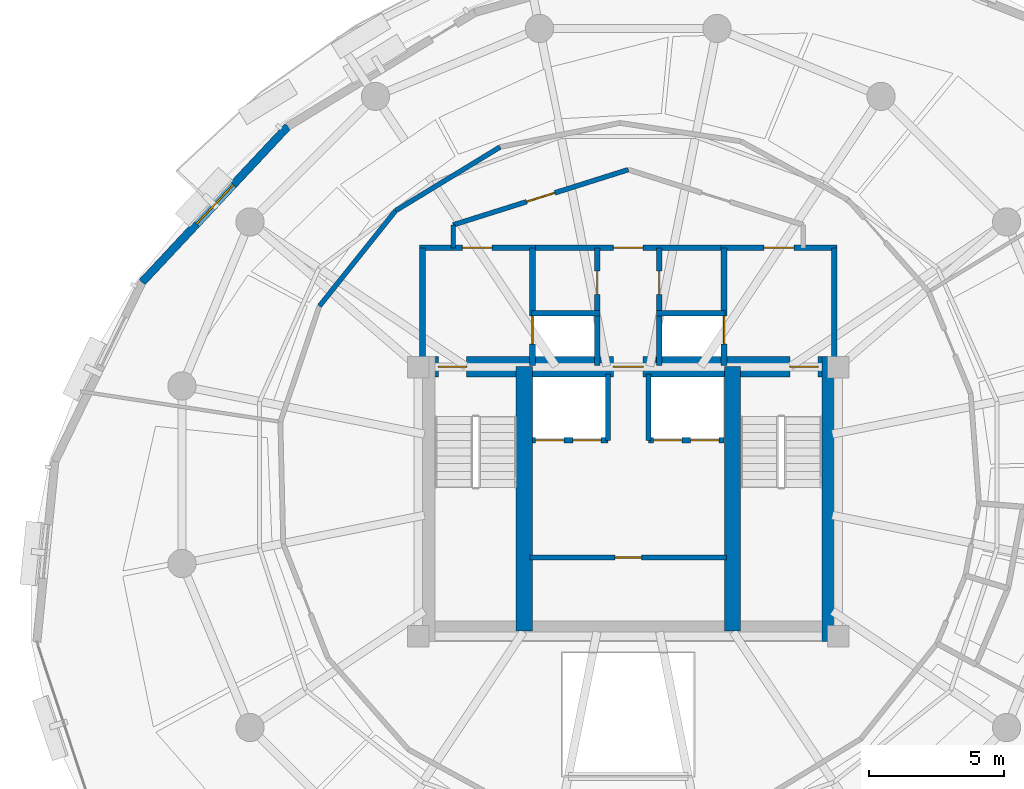
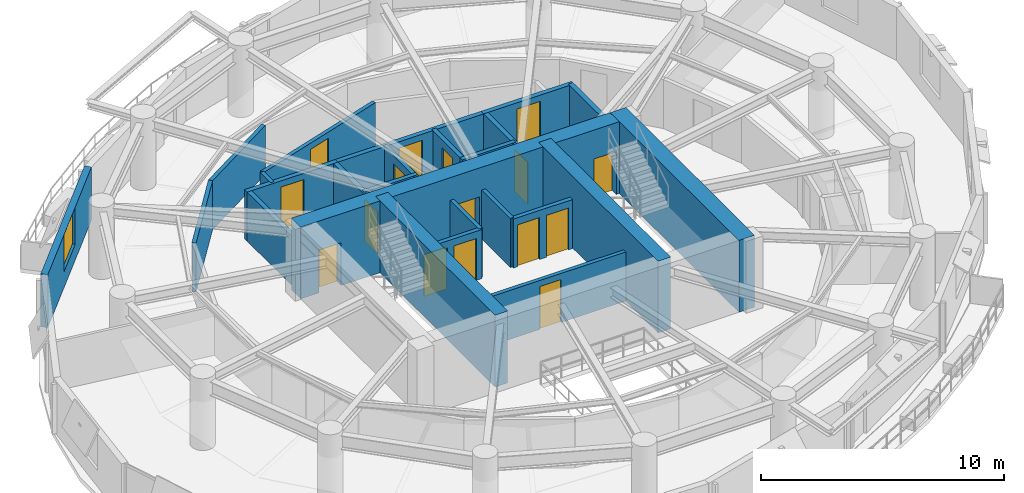
# One storey, part 10 of 15: 25 walls, 16 doors, 1 window, 17 openings.
"""IFC4 building model written with IfcOpenShell, lengths in metres."""

from ifc_helpers import new_model, si_unit, direction, frame, frame_2d, origin, place, context, subcontext, project, spatial, rectangle, extrude, material, layer, layer_set, type_object, element, fill, save


model = new_model("IFC4")

# Units and contexts
model_context = context("Model", 3, precision=1e-05, world=origin(), true_north=direction((0.0, 1.0)))
body_context = subcontext(model_context, "Body", "Model", "MODEL_VIEW")
ifc_project = project(units=[si_unit("LENGTHUNIT", "METRE"), si_unit("AREAUNIT", "SQUARE_METRE"), si_unit("VOLUMEUNIT", "CUBIC_METRE"), si_unit("PLANEANGLEUNIT", "RADIAN"), si_unit("MASSUNIT", "GRAM", prefix="KILO"), si_unit("THERMODYNAMICTEMPERATUREUNIT", "KELVIN"), si_unit("POWERUNIT", "WATT")], contexts=[model_context])

# Site, building, storey
site_placement = place(None, origin())
site = spatial("IfcSite", under=ifc_project, at=site_placement, CompositionType="ELEMENT")
building_placement = place(site_placement, origin())
building = spatial("IfcBuilding", under=site, at=building_placement, Name="Ocrelia Relay Tower", CompositionType="ELEMENT")
storey_placement = place(building_placement, frame((0.0, 0.0, 166.39990234375)))
storey = spatial("IfcBuildingStorey", under=building, at=storey_placement, Name="L39", CompositionType="ELEMENT", Elevation=166.39990234375)

# Wall, openings, doors
ifc_material_1 = material(Name="Concrete C60/75", Category="concrete")
ifc_layer_1 = layer(ifc_material_1, 0.75, Name="Concrete C60/75")
ifc_layer_set_1 = layer_set([ifc_layer_1], Name="Concrete C60/75")
wall_type_1 = type_object("IfcWallType", Name="CW-CORE-750", PredefinedType="SHEAR", material=ifc_layer_set_1)
wall_1_placement = place(storey_placement, frame((26.072021484375, 30.012939453125, 0.0), z_axis=(0.0, 0.0, 1.0), x_axis=(1.0, 0.0, 0.0)))
wall_1 = element("IfcWall", 1, at=wall_1_placement, inside=storey, type_object=wall_type_1, Name="L39 Core Shear Wall N", PredefinedType="SHEAR", context=body_context, shape_type="SweptSolid", body=[
    extrude(rectangle(XDim=15.865966796875, YDim=0.75, at=frame_2d((7.93310546875, 0.0))), origin(), (0.0, 0.0, 1.0), 3.60009765625),
])
opening_1_placement = place(wall_1_placement, frame((0.8779296875, 0.0, 0.0)))
opening_1 = element("IfcOpeningElement", 2, at=opening_1_placement, cuts=wall_1, Name="Opening D-FD90", PredefinedType="OPENING", context=body_context, shape_type="SweptSolid", body=[
    extrude(rectangle(XDim=1.050048828125, YDim=2.14990234375, at=frame_2d((0.52490234375, 1.074951171875))), frame((0.0, 0.385009765625, 0.0), z_axis=(0.0, -1.0, 0.0), x_axis=(1.0, 0.0, 0.0)), (0.0, 0.0, 1.0), 0.77001953125),
])
opening_2_placement = place(wall_1_placement, frame((13.927978515625, 0.0, 0.0)))
opening_2 = element("IfcOpeningElement", 3, at=opening_2_placement, cuts=wall_1, Name="Opening D-FD90", PredefinedType="OPENING", context=body_context, shape_type="SweptSolid", body=[
    extrude(rectangle(XDim=1.050048828125, YDim=2.14990234375, at=frame_2d((0.52490234375, 1.074951171875))), frame((0.0, 0.385009765625, 0.0), z_axis=(0.0, -1.0, 0.0), x_axis=(1.0, 0.0, 0.0)), (0.0, 0.0, 1.0), 0.77001953125),
])
opening_3_placement = place(wall_1_placement, frame((7.3779296875, 0.0, 0.0)))
opening_3 = element("IfcOpeningElement", 4, at=opening_3_placement, cuts=wall_1, Name="Opening D-FD60", PredefinedType="OPENING", context=body_context, shape_type="SweptSolid", body=[
    extrude(rectangle(XDim=1.10009765625, YDim=2.14990234375, at=frame_2d((0.550048828125, 1.074951171875))), frame((0.0, 0.385009765625, 0.0), z_axis=(0.0, -1.0, 0.0), x_axis=(1.0, 0.0, 0.0)), (0.0, 0.0, 1.0), 0.77001953125),
])
ifc_material_2 = material(Name="Timber-core 60-min acoustic fire door", Category="wood")
door_type_1 = type_object("IfcDoorType", Name="DR-LOBBY-FD60-1100", OperationType="NOTDEFINED", PredefinedType="DOOR", material=ifc_material_2)
door_1_placement = place(opening_3_placement, origin())
door_1 = element("IfcDoor", 5, at=door_1_placement, inside=storey, type_object=door_type_1, Name="L39 Core Lift Lobby North Fire Door", OperationType="SINGLE_SWING_LEFT", OverallHeight=2.14990234375, OverallWidth=1.10009765625, PredefinedType="DOOR", context=body_context, shape_type="SweptSolid", body=[
    extrude(rectangle(XDim=1.10009765625, YDim=2.14990234375, at=frame_2d((0.550048828125, 1.074951171875))), frame((0.0, 0.02490234375, 0.0), z_axis=(0.0, -1.0, 0.0), x_axis=(1.0, 0.0, 0.0)), (0.0, 0.0, 1.0), 0.050048828125),
])
fill(opening_3, door_1)
ifc_material_3 = material(Name="Steel S355 90-min fire door", Category="steel")
door_type_2 = type_object("IfcDoorType", Name="DR-STAIR-FD90-1050", OperationType="NOTDEFINED", PredefinedType="DOOR", material=ifc_material_3)
door_2_placement = place(opening_1_placement, origin())
door_2 = element("IfcDoor", 6, at=door_2_placement, inside=storey, type_object=door_type_2, Name="L39 Stair ST1 Fire Door", OperationType="SINGLE_SWING_LEFT", OverallHeight=2.14990234375, OverallWidth=1.050048828125, PredefinedType="DOOR", context=body_context, shape_type="SweptSolid", body=[
    extrude(rectangle(XDim=1.050048828125, YDim=2.14990234375, at=frame_2d((0.52490234375, 1.074951171875))), frame((0.0, 0.02490234375, 0.0), z_axis=(0.0, -1.0, 0.0), x_axis=(1.0, 0.0, 0.0)), (0.0, 0.0, 1.0), 0.050048828125),
])
fill(opening_1, door_2)
door_3_placement = place(opening_2_placement, origin())
door_3 = element("IfcDoor", 7, at=door_3_placement, inside=storey, type_object=door_type_2, Name="L39 Stair ST2 Fire Door", OperationType="SINGLE_SWING_RIGHT", OverallHeight=2.14990234375, OverallWidth=1.050048828125, PredefinedType="DOOR", context=body_context, shape_type="SweptSolid", body=[
    extrude(rectangle(XDim=1.050048828125, YDim=2.14990234375, at=frame_2d((0.52490234375, 1.074951171875))), frame((0.0, 0.02490234375, 0.0), z_axis=(0.0, -1.0, 0.0), x_axis=(1.0, 0.0, 0.0)), (0.0, 0.0, 1.0), 0.050048828125),
])
fill(opening_2, door_3)

# Walls
wall_2_placement = place(storey_placement, frame((41.56298828125, 19.81201171875, 0.0), z_axis=(0.0, 0.0, 1.0), x_axis=(0.0, 1.0, 0.0)))
element("IfcWall", 8, at=wall_2_placement, inside=storey, type_object=wall_type_1, Name="L39 Core Shear Wall E", PredefinedType="SHEAR", context=body_context, shape_type="SweptSolid", body=[
    extrude(rectangle(XDim=10.575927734375, YDim=0.75, at=frame_2d((5.2880859375, 0.0))), origin(), (0.0, 0.0, 1.0), 3.60009765625),
])
for number, where, z_axis, x_axis, name in (
    (9, (30.137939453125, 20.18701171875, 0.0), (0.0, 0.0, 1.0), (0.0, 1.0, 0.0), "L39 Core Shear Wall SPW"),
    (10, (37.8720703125, 20.18701171875, 0.0), (0.0, 0.0, 1.0), (0.0, 1.0, 0.0), "L39 Core Shear Wall SPE"),
):
    element("IfcWall", number, at=place(storey_placement, frame(where, z_axis=z_axis, x_axis=x_axis)), inside=storey, type_object=wall_type_1, Name=name, PredefinedType="SHEAR", context=body_context, shape_type="SweptSolid", body=[
        extrude(rectangle(XDim=9.825927734375, YDim=0.60009765625, at=frame_2d((4.9130859375, 0.0))), origin(), (0.0, 0.0, 1.0), 3.60009765625),
    ])

# Wall, opening, door
ifc_material_4 = material(Name="Gypsum Fireboard Partition EI60", Category="gypsum")
ifc_layer_2 = layer(ifc_material_4, 0.179931640625, Name="Gypsum Fireboard Partition EI60")
ifc_layer_set_2 = layer_set([ifc_layer_2], Name="Gypsum Fireboard Partition EI60")
wall_type_2 = type_object("IfcWallType", Name="W-CORR-EI60-180", PredefinedType="PARTITIONING", material=ifc_layer_set_2)
wall_3_placement = place(storey_placement, frame((30.35009765625, 22.919921875, 0.0), z_axis=(0.0, 0.0, 1.0), x_axis=(1.0, 0.0, 0.0)))
wall_3 = element("IfcWall", 11, at=wall_3_placement, inside=storey, type_object=wall_type_2, Name="L39 Reclaimed Core Room Partition", PredefinedType="PARTITIONING", context=body_context, shape_type="SweptSolid", body=[
    extrude(rectangle(XDim=7.2998046875, YDim=0.179931640625, at=frame_2d((3.64990234375, 0.0))), origin(), (0.0, 0.0, 1.0), 2.460205078125),
])
opening_4_placement = place(wall_3_placement, frame((3.14990234375, 0.0, 0.0)))
opening_4 = element("IfcOpeningElement", 12, at=opening_4_placement, cuts=wall_3, Name="Opening D-RM100", PredefinedType="OPENING", context=body_context, shape_type="SweptSolid", body=[
    extrude(rectangle(XDim=1.0, YDim=2.14990234375, at=frame_2d((0.5, 1.074951171875))), frame((0.0, 0.10009765625, 0.0), z_axis=(0.0, -1.0, 0.0), x_axis=(1.0, 0.0, 0.0)), (0.0, 0.0, 1.0), 0.199951171875),
])
ifc_material_5 = material(Name="Acoustic oak veneer fire door", Category="wood")
door_type_3 = type_object("IfcDoorType", Name="DR-ROOM-FD60-1000", OperationType="NOTDEFINED", PredefinedType="DOOR", material=ifc_material_5)
door_4_placement = place(opening_4_placement, origin())
door_4 = element("IfcDoor", 13, at=door_4_placement, inside=storey, type_object=door_type_3, Name="L39 Calibration Laboratory Door", OperationType="SINGLE_SWING_LEFT", OverallHeight=2.14990234375, OverallWidth=1.0, PredefinedType="DOOR", context=body_context, shape_type="SweptSolid", body=[
    extrude(rectangle(XDim=1.0, YDim=2.14990234375, at=frame_2d((0.5, 1.074951171875))), frame((0.0, 0.02490234375, 0.0), z_axis=(0.0, -1.0, 0.0), x_axis=(1.0, 0.0, 0.0)), (0.0, 0.0, 1.0), 0.050048828125),
])
fill(opening_4, door_4)

# Wall
wall_4_placement = place(storey_placement, frame((27.5, 34.429931640625, 0.0), z_axis=(0.0, 0.0, 1.0), x_axis=(0.0, 1.0, 0.0)))
element("IfcWall", 14, at=wall_4_placement, inside=storey, type_object=wall_type_2, Name="L39 Smoke Lobby West Return", PredefinedType="PARTITIONING", context=body_context, shape_type="SweptSolid", body=[
    extrude(rectangle(XDim=0.85009765625, YDim=0.179931640625, at=frame_2d((0.425048828125, 0.0))), origin(), (0.0, 0.0, 1.0), 2.460205078125),
])

# Wall, opening, door
wall_5_placement = place(storey_placement, frame((27.5, 35.280029296875, 0.0), z_axis=(0.0, 0.0, 1.0), x_axis=(0.953691418528, 0.300786765376, 0.0)))
wall_5 = element("IfcWall", 15, at=wall_5_placement, inside=storey, type_object=wall_type_2, Name="L39 North Smoke Lobby W Screen Wall", PredefinedType="PARTITIONING", context=body_context, shape_type="SweptSolid", body=[
    extrude(rectangle(XDim=6.815673828125, YDim=0.179931640625, at=frame_2d((3.40771484375, 0.0))), origin(), (0.0, 0.0, 1.0), 2.460205078125),
])
opening_5_placement = place(wall_5_placement, frame((2.85791015625, 0.0, 0.0)))
opening_5 = element("IfcOpeningElement", 16, at=opening_5_placement, cuts=wall_5, Name="Opening D-FD60", PredefinedType="OPENING", context=body_context, shape_type="SweptSolid", body=[
    extrude(rectangle(XDim=1.10009765625, YDim=2.14990234375, at=frame_2d((0.550048828125, 1.074951171875))), frame((0.0, 0.10009765625, 0.0), z_axis=(0.0, -1.0, 0.0), x_axis=(1.0, 0.0, 0.0)), (0.0, 0.0, 1.0), 0.199951171875),
])
door_5_placement = place(opening_5_placement, origin())
door_5 = element("IfcDoor", 17, at=door_5_placement, inside=storey, type_object=door_type_1, Name="L39 North Smoke Lobby W Fire Door", OperationType="SINGLE_SWING_RIGHT", OverallHeight=2.14990234375, OverallWidth=1.10009765625, PredefinedType="DOOR", context=body_context, shape_type="SweptSolid", body=[
    extrude(rectangle(XDim=1.10009765625, YDim=2.14990234375, at=frame_2d((0.550048828125, 1.074951171875))), frame((0.0, 0.02490234375, 0.0), z_axis=(0.0, -1.0, 0.0), x_axis=(1.0, 0.0, 0.0)), (0.0, 0.0, 1.0), 0.050048828125),
])
fill(opening_5, door_5)

# Walls
for number, where, z_axis, x_axis, name in (
    (18, (29.24169921875, 38.173095703125, 0.0), (0.0, 0.0, 1.0), (-0.854004275156, -0.520265987756, 0.0), "L39 Cloud Engineering Workspace Corridor Partition 5"),
    (19, (25.365234375, 35.8115234375, 0.0), (0.0, 0.0, 1.0), (-0.6245638532, -0.780973746854, 0.0), "L39 Cloud Engineering Workspace Corridor Partition 6"),
):
    element("IfcWall", number, at=place(storey_placement, frame(where, z_axis=z_axis, x_axis=x_axis)), inside=storey, type_object=wall_type_2, Name=name, PredefinedType="PARTITIONING", context=body_context, shape_type="SweptSolid", body=[
        extrude(rectangle(XDim=4.5390625, YDim=0.179931640625, at=frame_2d((2.26953125, 0.0))), origin(), (0.0, 0.0, 1.0), 2.460205078125),
    ])

# Wall, opening, window
ifc_material_6 = material(Name="Precast concrete C40/50 with oxide terracotta", Category="masonry")
ifc_layer_3 = layer(ifc_material_6, 0.300048828125, Name="Precast concrete C40/50 with oxide terracotta")
ifc_layer_set_3 = layer_set([ifc_layer_3], Name="Precast concrete C40/50 with oxide terracotta")
wall_type_3 = type_object("IfcWallType", Name="W-EXT-TERR-300", PredefinedType="SOLIDWALL", material=ifc_layer_set_3)
wall_6_placement = place(storey_placement, frame((21.358642578125, 38.9404296875, 0.0), z_axis=(0.0, 0.0, 1.0), x_axis=(-0.683169314715, -0.730260013579, 0.0)))
wall_6 = element("IfcWall", 20, at=wall_6_placement, inside=storey, type_object=wall_type_3, Name="L39 Oxide Terracotta Facade Wall 06", PredefinedType="SOLIDWALL", context=body_context, shape_type="SweptSolid", body=[
    extrude(rectangle(XDim=7.927001953125, YDim=0.300048828125, at=frame_2d((3.96337890625, 0.0))), origin(), (0.0, 0.0, 1.0), 2.66015625),
])
opening_6_placement = place(wall_6_placement, frame((2.964111328125, 0.0, 0.800048828125)))
opening_6 = element("IfcOpeningElement", 21, at=opening_6_placement, cuts=wall_6, Name="Opening W-03", PredefinedType="OPENING", context=body_context, shape_type="SweptSolid", body=[
    extrude(rectangle(XDim=2.0, YDim=1.85009765625, at=frame_2d((1.0, 0.925048828125))), frame((0.0, 0.16015625, 0.0), z_axis=(0.0, -1.0, 0.0), x_axis=(1.0, 0.0, 0.0)), (0.0, 0.0, 1.0), 0.320068359375),
])
ifc_material_7 = material(Name="Clear double-glazed low-E glass", Category="glass")
window_type = type_object("IfcWindowType", Name="WIN-Z3-2000x2200", PartitioningType="DOUBLE_PANEL_VERTICAL", PredefinedType="WINDOW", material=ifc_material_7)
window_placement = place(opening_6_placement, origin())
window = element("IfcWindow", 22, at=window_placement, inside=storey, type_object=window_type, Name="L39 Facade Module Window 06", OverallHeight=1.85009765625, OverallWidth=2.0, PartitioningType="SINGLE_PANEL", PredefinedType="WINDOW", context=body_context, shape_type="SweptSolid", body=[
    extrude(rectangle(XDim=2.0, YDim=1.85009765625, at=frame_2d((1.0, 0.925048828125))), frame((0.0, 0.030029296875, 0.0), z_axis=(0.0, -1.0, 0.0), x_axis=(1.0, 0.0, 0.0)), (0.0, 0.0, 1.0), 0.06005859375),
])
fill(opening_6, window)

# Wall
ifc_material_8 = material(Name="Concrete C50/60", Category="concrete")
ifc_layer_4 = layer(ifc_material_8, 0.219970703125, Name="Concrete C50/60")
ifc_layer_set_4 = layer_set([ifc_layer_4], Name="Concrete C50/60")
wall_type_4 = type_object("IfcWallType", Name="W-FFL-EI120-220", PredefinedType="SOLIDWALL", material=ifc_layer_set_4)
wall_7_placement = place(storey_placement, frame((26.35009765625, 30.050048828125, 0.0), z_axis=(0.0, 0.0, 1.0), x_axis=(0.0, 1.0, 0.0)))
element("IfcWall", 23, at=wall_7_placement, inside=storey, type_object=wall_type_4, Name="L39 W Fire Service Lift Lobby West Wall", PredefinedType="SOLIDWALL", context=body_context, shape_type="SweptSolid", body=[
    extrude(rectangle(XDim=4.3798828125, YDim=0.219970703125, at=frame_2d((2.18994140625, 0.0))), origin(), (0.0, 0.0, 1.0), 2.460205078125),
])

# Wall, opening, door
wall_8_placement = place(storey_placement, frame((30.43994140625, 30.050048828125, 0.0), z_axis=(0.0, 0.0, 1.0), x_axis=(0.0, 1.0, 0.0)))
wall_8 = element("IfcWall", 24, at=wall_8_placement, inside=storey, type_object=wall_type_4, Name="L39 W Fire Service Lift Lobby East Wall", PredefinedType="SOLIDWALL", context=body_context, shape_type="SweptSolid", body=[
    extrude(rectangle(XDim=4.3798828125, YDim=0.219970703125, at=frame_2d((2.18994140625, 0.0))), origin(), (0.0, 0.0, 1.0), 2.460205078125),
])
opening_7_placement = place(wall_8_placement, frame((0.800048828125, 0.0, 0.0)))
opening_7 = element("IfcOpeningElement", 25, at=opening_7_placement, cuts=wall_8, Name="Opening LD-FFL1", PredefinedType="OPENING", context=body_context, shape_type="SweptSolid", body=[
    extrude(rectangle(XDim=1.050048828125, YDim=2.10009765625, at=frame_2d((0.52490234375, 1.050048828125))), frame((0.0, 0.1201171875, 0.0), z_axis=(0.0, -1.0, 0.0), x_axis=(1.0, 0.0, 0.0)), (0.0, 0.0, 1.0), 0.239990234375),
])
ifc_material_9 = material(Name="Brushed stainless steel S355 lift landing door", Category="steel")
door_type_4 = type_object("IfcDoorType", Name="DR-LIFT-LAND-1050", OperationType="DOUBLE_DOOR_SLIDING", PredefinedType="USERDEFINED", material=ifc_material_9)
door_6_placement = place(opening_7_placement, origin())
door_6 = element("IfcDoor", 26, at=door_6_placement, inside=storey, type_object=door_type_4, Name="L39 Firefighting Lift FFL1 Sliding Landing Door", ObjectType="LANDING DOOR", OperationType="DOUBLE_DOOR_SLIDING", OverallHeight=2.10009765625, OverallWidth=1.050048828125, PredefinedType="USERDEFINED", context=body_context, shape_type="SweptSolid", body=[
    extrude(rectangle(XDim=1.050048828125, YDim=2.10009765625, at=frame_2d((0.52490234375, 1.050048828125))), frame((0.0, 0.02490234375, 0.0), z_axis=(0.0, -1.0, 0.0), x_axis=(1.0, 0.0, 0.0)), (0.0, 0.0, 1.0), 0.050048828125),
])
fill(opening_7, door_6)

wall_9_placement = place(storey_placement, frame((26.239990234375, 34.429931640625, 0.0), z_axis=(0.0, 0.0, 1.0), x_axis=(1.0, 0.0, 0.0)))
wall_9 = element("IfcWall", 27, at=wall_9_placement, inside=storey, type_object=wall_type_4, Name="L39 W Fire Service Lift Lobby North Wall", PredefinedType="SOLIDWALL", context=body_context, shape_type="SweptSolid", body=[
    extrude(rectangle(XDim=4.31005859375, YDim=0.219970703125, at=frame_2d((2.155029296875, 0.0))), origin(), (0.0, 0.0, 1.0), 2.460205078125),
])
opening_8_placement = place(wall_9_placement, frame((1.60009765625, 0.0, 0.0)))
opening_8 = element("IfcOpeningElement", 28, at=opening_8_placement, cuts=wall_9, Name="Opening D-FD60", PredefinedType="OPENING", context=body_context, shape_type="SweptSolid", body=[
    extrude(rectangle(XDim=1.10009765625, YDim=2.14990234375, at=frame_2d((0.550048828125, 1.074951171875))), frame((0.0, 0.1201171875, 0.0), z_axis=(0.0, -1.0, 0.0), x_axis=(1.0, 0.0, 0.0)), (0.0, 0.0, 1.0), 0.239990234375),
])
door_7_placement = place(opening_8_placement, origin())
door_7 = element("IfcDoor", 29, at=door_7_placement, inside=storey, type_object=door_type_1, Name="L39 W Fire Service Lift Lobby Exit Door", OperationType="SINGLE_SWING_RIGHT", OverallHeight=2.14990234375, OverallWidth=1.10009765625, PredefinedType="DOOR", context=body_context, shape_type="SweptSolid", body=[
    extrude(rectangle(XDim=1.10009765625, YDim=2.14990234375, at=frame_2d((0.550048828125, 1.074951171875))), frame((0.0, 0.02490234375, 0.0), z_axis=(0.0, -1.0, 0.0), x_axis=(1.0, 0.0, 0.0)), (0.0, 0.0, 1.0), 0.050048828125),
])
fill(opening_8, door_7)

wall_10_placement = place(storey_placement, frame((37.56005859375, 30.050048828125, 0.0), z_axis=(0.0, 0.0, 1.0), x_axis=(0.0, 1.0, 0.0)))
wall_10 = element("IfcWall", 30, at=wall_10_placement, inside=storey, type_object=wall_type_4, Name="L39 E Fire Service Lift Lobby West Wall", PredefinedType="SOLIDWALL", context=body_context, shape_type="SweptSolid", body=[
    extrude(rectangle(XDim=4.3798828125, YDim=0.219970703125, at=frame_2d((2.18994140625, 0.0))), origin(), (0.0, 0.0, 1.0), 2.460205078125),
])
opening_9_placement = place(wall_10_placement, frame((0.800048828125, 0.0, 0.0)))
opening_9 = element("IfcOpeningElement", 31, at=opening_9_placement, cuts=wall_10, Name="Opening LD-FFL2", PredefinedType="OPENING", context=body_context, shape_type="SweptSolid", body=[
    extrude(rectangle(XDim=1.050048828125, YDim=2.10009765625, at=frame_2d((0.52490234375, 1.050048828125))), frame((0.0, 0.1201171875, 0.0), z_axis=(0.0, -1.0, 0.0), x_axis=(1.0, 0.0, 0.0)), (0.0, 0.0, 1.0), 0.239990234375),
])
door_8_placement = place(opening_9_placement, origin())
door_8 = element("IfcDoor", 32, at=door_8_placement, inside=storey, type_object=door_type_4, Name="L39 Firefighting Lift FFL2 Sliding Landing Door", ObjectType="LANDING DOOR", OperationType="DOUBLE_DOOR_SLIDING", OverallHeight=2.10009765625, OverallWidth=1.050048828125, PredefinedType="USERDEFINED", context=body_context, shape_type="SweptSolid", body=[
    extrude(rectangle(XDim=1.050048828125, YDim=2.10009765625, at=frame_2d((0.52490234375, 1.050048828125))), frame((0.0, 0.02490234375, 0.0), z_axis=(0.0, -1.0, 0.0), x_axis=(1.0, 0.0, 0.0)), (0.0, 0.0, 1.0), 0.050048828125),
])
fill(opening_9, door_8)

# Wall
wall_11_placement = place(storey_placement, frame((41.64990234375, 30.050048828125, 0.0), z_axis=(0.0, 0.0, 1.0), x_axis=(0.0, 1.0, 0.0)))
element("IfcWall", 33, at=wall_11_placement, inside=storey, type_object=wall_type_4, Name="L39 E Fire Service Lift Lobby East Wall", PredefinedType="SOLIDWALL", context=body_context, shape_type="SweptSolid", body=[
    extrude(rectangle(XDim=4.3798828125, YDim=0.219970703125, at=frame_2d((2.18994140625, 0.0))), origin(), (0.0, 0.0, 1.0), 2.460205078125),
])

# Wall, opening, door
wall_12_placement = place(storey_placement, frame((37.449951171875, 34.429931640625, 0.0), z_axis=(0.0, 0.0, 1.0), x_axis=(1.0, 0.0, 0.0)))
wall_12 = element("IfcWall", 34, at=wall_12_placement, inside=storey, type_object=wall_type_4, Name="L39 E Fire Service Lift Lobby North Wall", PredefinedType="SOLIDWALL", context=body_context, shape_type="SweptSolid", body=[
    extrude(rectangle(XDim=4.31005859375, YDim=0.219970703125, at=frame_2d((2.155029296875, 0.0))), origin(), (0.0, 0.0, 1.0), 2.460205078125),
])
opening_10_placement = place(wall_12_placement, frame((1.60009765625, 0.0, 0.0)))
opening_10 = element("IfcOpeningElement", 35, at=opening_10_placement, cuts=wall_12, Name="Opening D-FD60", PredefinedType="OPENING", context=body_context, shape_type="SweptSolid", body=[
    extrude(rectangle(XDim=1.10009765625, YDim=2.14990234375, at=frame_2d((0.550048828125, 1.074951171875))), frame((0.0, 0.1201171875, 0.0), z_axis=(0.0, -1.0, 0.0), x_axis=(1.0, 0.0, 0.0)), (0.0, 0.0, 1.0), 0.239990234375),
])
door_9_placement = place(opening_10_placement, origin())
door_9 = element("IfcDoor", 36, at=door_9_placement, inside=storey, type_object=door_type_1, Name="L39 E Fire Service Lift Lobby Exit Door", OperationType="SINGLE_SWING_RIGHT", OverallHeight=2.14990234375, OverallWidth=1.10009765625, PredefinedType="DOOR", context=body_context, shape_type="SweptSolid", body=[
    extrude(rectangle(XDim=1.10009765625, YDim=2.14990234375, at=frame_2d((0.550048828125, 1.074951171875))), frame((0.0, 0.02490234375, 0.0), z_axis=(0.0, -1.0, 0.0), x_axis=(1.0, 0.0, 0.0)), (0.0, 0.0, 1.0), 0.050048828125),
])
fill(opening_10, door_9)

wall_13_placement = place(storey_placement, frame((30.43994140625, 34.429931640625, 0.0), z_axis=(0.0, 0.0, 1.0), x_axis=(1.0, 0.0, 0.0)))
wall_13 = element("IfcWall", 37, at=wall_13_placement, inside=storey, type_object=wall_type_4, Name="L39 North Core Vestibule Wall", PredefinedType="SOLIDWALL", context=body_context, shape_type="SweptSolid", body=[
    extrude(rectangle(XDim=7.1201171875, YDim=0.219970703125, at=frame_2d((3.56005859375, 0.0))), origin(), (0.0, 0.0, 1.0), 2.460205078125),
])
opening_11_placement = place(wall_13_placement, frame((3.010009765625, 0.0, 0.0)))
opening_11 = element("IfcOpeningElement", 38, at=opening_11_placement, cuts=wall_13, Name="Opening D-FD60", PredefinedType="OPENING", context=body_context, shape_type="SweptSolid", body=[
    extrude(rectangle(XDim=1.10009765625, YDim=2.14990234375, at=frame_2d((0.550048828125, 1.074951171875))), frame((0.0, 0.1201171875, 0.0), z_axis=(0.0, -1.0, 0.0), x_axis=(1.0, 0.0, 0.0)), (0.0, 0.0, 1.0), 0.239990234375),
])
door_10_placement = place(opening_11_placement, origin())
door_10 = element("IfcDoor", 39, at=door_10_placement, inside=storey, type_object=door_type_1, Name="L39 North Core Vestibule Corridor Door", OperationType="SINGLE_SWING_RIGHT", OverallHeight=2.14990234375, OverallWidth=1.10009765625, PredefinedType="DOOR", context=body_context, shape_type="SweptSolid", body=[
    extrude(rectangle(XDim=1.10009765625, YDim=2.14990234375, at=frame_2d((0.550048828125, 1.074951171875))), frame((0.0, 0.02490234375, 0.0), z_axis=(0.0, -1.0, 0.0), x_axis=(1.0, 0.0, 0.0)), (0.0, 0.0, 1.0), 0.050048828125),
])
fill(opening_11, door_10)

# Wall
ifc_layer_5 = layer(ifc_material_8, 0.199951171875, Name="Concrete C50/60")
ifc_layer_set_5 = layer_set([ifc_layer_5], Name="Concrete C50/60")
wall_type_5 = type_object("IfcWallType", Name="W-SHAFT-EI120-200", PredefinedType="SOLIDWALL", material=ifc_layer_set_5)
wall_14_placement = place(storey_placement, frame((30.39990234375, 32.0, 0.0), z_axis=(0.0, 0.0, 1.0), x_axis=(1.0, 0.0, 0.0)))
element("IfcWall", 40, at=wall_14_placement, inside=storey, type_object=wall_type_5, Name="L39 FFL1 Hoistway North Wall", PredefinedType="SOLIDWALL", context=body_context, shape_type="SweptSolid", body=[
    extrude(rectangle(XDim=2.550048828125, YDim=0.199951171875, at=frame_2d((1.27490234375, 0.0))), origin(), (0.0, 0.0, 1.0), 2.460205078125),
])

# Wall, opening, door
wall_15_placement = place(storey_placement, frame((32.85009765625, 30.050048828125, 0.0), z_axis=(0.0, 0.0, 1.0), x_axis=(0.0, 1.0, 0.0)))
wall_15 = element("IfcWall", 41, at=wall_15_placement, inside=storey, type_object=wall_type_5, Name="L39 FFL1 and Service Vestibule Wall", PredefinedType="SOLIDWALL", context=body_context, shape_type="SweptSolid", body=[
    extrude(rectangle(XDim=4.3798828125, YDim=0.199951171875, at=frame_2d((2.18994140625, 0.0))), origin(), (0.0, 0.0, 1.0), 2.460205078125),
])
opening_12_placement = place(wall_15_placement, frame((2.64990234375, 0.0, 0.0)))
opening_12 = element("IfcOpeningElement", 42, at=opening_12_placement, cuts=wall_15, Name="Opening D-RS86", PredefinedType="OPENING", context=body_context, shape_type="SweptSolid", body=[
    extrude(rectangle(XDim=0.860107421875, YDim=2.050048828125, at=frame_2d((0.43017578125, 1.02490234375))), frame((0.0, 0.10986328125, 0.0), z_axis=(0.0, -1.0, 0.0), x_axis=(1.0, 0.0, 0.0)), (0.0, 0.0, 1.0), 0.219970703125),
])
ifc_material_10 = material(Name="Steel S355 riser access fire door", Category="steel")
door_type_5 = type_object("IfcDoorType", Name="DR-RISER-TRAP-860", OperationType="NOTDEFINED", PredefinedType="TRAPDOOR", material=ifc_material_10)
door_11_placement = place(opening_12_placement, origin())
door_11 = element("IfcDoor", 43, at=door_11_placement, inside=storey, type_object=door_type_5, Name="L39 Core Support Room W Door", OperationType="SINGLE_SWING_LEFT", OverallHeight=2.050048828125, OverallWidth=0.860107421875, PredefinedType="TRAPDOOR", context=body_context, shape_type="SweptSolid", body=[
    extrude(rectangle(XDim=0.860107421875, YDim=2.050048828125, at=frame_2d((0.43017578125, 1.02490234375))), frame((0.0, 0.02490234375, 0.0), z_axis=(0.0, -1.0, 0.0), x_axis=(1.0, 0.0, 0.0)), (0.0, 0.0, 1.0), 0.050048828125),
])
fill(opening_12, door_11)

# Wall
wall_16_placement = place(storey_placement, frame((35.050048828125, 32.0, 0.0), z_axis=(0.0, 0.0, 1.0), x_axis=(1.0, 0.0, 0.0)))
element("IfcWall", 44, at=wall_16_placement, inside=storey, type_object=wall_type_5, Name="L39 FFL2 Hoistway North Wall", PredefinedType="SOLIDWALL", context=body_context, shape_type="SweptSolid", body=[
    extrude(rectangle(XDim=2.550048828125, YDim=0.199951171875, at=frame_2d((1.27490234375, 0.0))), origin(), (0.0, 0.0, 1.0), 2.460205078125),
])

# Wall, opening, door
wall_17_placement = place(storey_placement, frame((35.14990234375, 30.050048828125, 0.0), z_axis=(0.0, 0.0, 1.0), x_axis=(0.0, 1.0, 0.0)))
wall_17 = element("IfcWall", 45, at=wall_17_placement, inside=storey, type_object=wall_type_5, Name="L39 FFL2 and Service Vestibule Wall", PredefinedType="SOLIDWALL", context=body_context, shape_type="SweptSolid", body=[
    extrude(rectangle(XDim=4.3798828125, YDim=0.199951171875, at=frame_2d((2.18994140625, 0.0))), origin(), (0.0, 0.0, 1.0), 2.460205078125),
])
opening_13_placement = place(wall_17_placement, frame((2.64990234375, 0.0, 0.0)))
opening_13 = element("IfcOpeningElement", 46, at=opening_13_placement, cuts=wall_17, Name="Opening D-RS86", PredefinedType="OPENING", context=body_context, shape_type="SweptSolid", body=[
    extrude(rectangle(XDim=0.860107421875, YDim=2.050048828125, at=frame_2d((0.43017578125, 1.02490234375))), frame((0.0, 0.10986328125, 0.0), z_axis=(0.0, -1.0, 0.0), x_axis=(1.0, 0.0, 0.0)), (0.0, 0.0, 1.0), 0.219970703125),
])
door_12_placement = place(opening_13_placement, origin())
door_12 = element("IfcDoor", 47, at=door_12_placement, inside=storey, type_object=door_type_5, Name="L39 Core Support Room E Door", OperationType="SINGLE_SWING_LEFT", OverallHeight=2.050048828125, OverallWidth=0.860107421875, PredefinedType="TRAPDOOR", context=body_context, shape_type="SweptSolid", body=[
    extrude(rectangle(XDim=0.860107421875, YDim=2.050048828125, at=frame_2d((0.43017578125, 1.02490234375))), frame((0.0, 0.02490234375, 0.0), z_axis=(0.0, -1.0, 0.0), x_axis=(1.0, 0.0, 0.0)), (0.0, 0.0, 1.0), 0.050048828125),
])
fill(opening_13, door_12)

# Wall, openings, doors
wall_18_placement = place(storey_placement, frame((30.43994140625, 27.280029296875, 0.0), z_axis=(0.0, 0.0, 1.0), x_axis=(1.0, 0.0, 0.0)))
wall_18 = element("IfcWall", 48, at=wall_18_placement, inside=storey, type_object=wall_type_5, Name="L39 High-Rise Lift Hoistway Wall W", PredefinedType="SOLIDWALL", context=body_context, shape_type="SweptSolid", body=[
    extrude(rectangle(XDim=2.81005859375, YDim=0.199951171875, at=frame_2d((1.405029296875, 0.0))), origin(), (0.0, 0.0, 1.0), 2.460205078125),
])
opening_14_placement = place(wall_18_placement, frame((0.1201171875, 0.0, 0.0)))
opening_14 = element("IfcOpeningElement", 49, at=opening_14_placement, cuts=wall_18, Name="Opening LD-PL5", PredefinedType="OPENING", context=body_context, shape_type="SweptSolid", body=[
    extrude(rectangle(XDim=1.050048828125, YDim=2.10009765625, at=frame_2d((0.52490234375, 1.050048828125))), frame((0.0, 0.10986328125, 0.0), z_axis=(0.0, -1.0, 0.0), x_axis=(1.0, 0.0, 0.0)), (0.0, 0.0, 1.0), 0.219970703125),
])
opening_15_placement = place(wall_18_placement, frame((1.5, 0.0, 0.0)))
opening_15 = element("IfcOpeningElement", 50, at=opening_15_placement, cuts=wall_18, Name="Opening LD-PL6", PredefinedType="OPENING", context=body_context, shape_type="SweptSolid", body=[
    extrude(rectangle(XDim=1.050048828125, YDim=2.10009765625, at=frame_2d((0.52490234375, 1.050048828125))), frame((0.0, 0.10986328125, 0.0), z_axis=(0.0, -1.0, 0.0), x_axis=(1.0, 0.0, 0.0)), (0.0, 0.0, 1.0), 0.219970703125),
])
door_13_placement = place(opening_14_placement, origin())
door_13 = element("IfcDoor", 51, at=door_13_placement, inside=storey, type_object=door_type_4, Name="L39 High-Rise Lift PL5 Sliding Landing Door", ObjectType="LANDING DOOR", OperationType="DOUBLE_DOOR_SLIDING", OverallHeight=2.10009765625, OverallWidth=1.050048828125, PredefinedType="USERDEFINED", context=body_context, shape_type="SweptSolid", body=[
    extrude(rectangle(XDim=1.050048828125, YDim=2.10009765625, at=frame_2d((0.52490234375, 1.050048828125))), frame((0.0, 0.02490234375, 0.0), z_axis=(0.0, -1.0, 0.0), x_axis=(1.0, 0.0, 0.0)), (0.0, 0.0, 1.0), 0.050048828125),
])
fill(opening_14, door_13)
door_14_placement = place(opening_15_placement, origin())
door_14 = element("IfcDoor", 52, at=door_14_placement, inside=storey, type_object=door_type_4, Name="L39 High-Rise Lift PL6 Sliding Landing Door", ObjectType="LANDING DOOR", OperationType="DOUBLE_DOOR_SLIDING", OverallHeight=2.10009765625, OverallWidth=1.050048828125, PredefinedType="USERDEFINED", context=body_context, shape_type="SweptSolid", body=[
    extrude(rectangle(XDim=1.050048828125, YDim=2.10009765625, at=frame_2d((0.52490234375, 1.050048828125))), frame((0.0, 0.02490234375, 0.0), z_axis=(0.0, -1.0, 0.0), x_axis=(1.0, 0.0, 0.0)), (0.0, 0.0, 1.0), 0.050048828125),
])
fill(opening_15, door_14)

# Wall
wall_19_placement = place(storey_placement, frame((33.25, 27.280029296875, 0.0), z_axis=(0.0, 0.0, 1.0), x_axis=(0.0, 1.0, 0.0)))
element("IfcWall", 53, at=wall_19_placement, inside=storey, type_object=wall_type_5, Name="L39 High-Rise Lift Throat Wall W", PredefinedType="SOLIDWALL", context=body_context, shape_type="SweptSolid", body=[
    extrude(rectangle(XDim=2.469970703125, YDim=0.179931640625, at=frame_2d((1.23486328125, 0.0))), origin(), (0.0, 0.0, 1.0), 2.460205078125),
])

# Wall, openings, doors
wall_20_placement = place(storey_placement, frame((34.75, 27.280029296875, 0.0), z_axis=(0.0, 0.0, 1.0), x_axis=(1.0, 0.0, 0.0)))
wall_20 = element("IfcWall", 54, at=wall_20_placement, inside=storey, type_object=wall_type_5, Name="L39 High-Rise Lift Hoistway Wall E", PredefinedType="SOLIDWALL", context=body_context, shape_type="SweptSolid", body=[
    extrude(rectangle(XDim=2.81005859375, YDim=0.199951171875, at=frame_2d((1.405029296875, 0.0))), origin(), (0.0, 0.0, 1.0), 2.460205078125),
])
opening_16_placement = place(wall_20_placement, frame((0.18994140625, 0.0, 0.0)))
opening_16 = element("IfcOpeningElement", 55, at=opening_16_placement, cuts=wall_20, Name="Opening LD-PL7", PredefinedType="OPENING", context=body_context, shape_type="SweptSolid", body=[
    extrude(rectangle(XDim=1.050048828125, YDim=2.10009765625, at=frame_2d((0.52490234375, 1.050048828125))), frame((0.0, 0.10986328125, 0.0), z_axis=(0.0, -1.0, 0.0), x_axis=(1.0, 0.0, 0.0)), (0.0, 0.0, 1.0), 0.219970703125),
])
opening_17_placement = place(wall_20_placement, frame((1.570068359375, 0.0, 0.0)))
opening_17 = element("IfcOpeningElement", 56, at=opening_17_placement, cuts=wall_20, Name="Opening LD-PL8", PredefinedType="OPENING", context=body_context, shape_type="SweptSolid", body=[
    extrude(rectangle(XDim=1.050048828125, YDim=2.10009765625, at=frame_2d((0.52490234375, 1.050048828125))), frame((0.0, 0.10986328125, 0.0), z_axis=(0.0, -1.0, 0.0), x_axis=(1.0, 0.0, 0.0)), (0.0, 0.0, 1.0), 0.219970703125),
])
door_15_placement = place(opening_16_placement, origin())
door_15 = element("IfcDoor", 57, at=door_15_placement, inside=storey, type_object=door_type_4, Name="L39 High-Rise Lift PL7 Sliding Landing Door", ObjectType="LANDING DOOR", OperationType="DOUBLE_DOOR_SLIDING", OverallHeight=2.10009765625, OverallWidth=1.050048828125, PredefinedType="USERDEFINED", context=body_context, shape_type="SweptSolid", body=[
    extrude(rectangle(XDim=1.050048828125, YDim=2.10009765625, at=frame_2d((0.52490234375, 1.050048828125))), frame((0.0, 0.02490234375, 0.0), z_axis=(0.0, -1.0, 0.0), x_axis=(1.0, 0.0, 0.0)), (0.0, 0.0, 1.0), 0.050048828125),
])
fill(opening_16, door_15)
door_16_placement = place(opening_17_placement, origin())
door_16 = element("IfcDoor", 58, at=door_16_placement, inside=storey, type_object=door_type_4, Name="L39 High-Rise Lift PL8 Sliding Landing Door", ObjectType="LANDING DOOR", OperationType="DOUBLE_DOOR_SLIDING", OverallHeight=2.10009765625, OverallWidth=1.050048828125, PredefinedType="USERDEFINED", context=body_context, shape_type="SweptSolid", body=[
    extrude(rectangle(XDim=1.050048828125, YDim=2.10009765625, at=frame_2d((0.52490234375, 1.050048828125))), frame((0.0, 0.02490234375, 0.0), z_axis=(0.0, -1.0, 0.0), x_axis=(1.0, 0.0, 0.0)), (0.0, 0.0, 1.0), 0.050048828125),
])
fill(opening_17, door_16)

# Wall
wall_21_placement = place(storey_placement, frame((34.75, 27.280029296875, 0.0), z_axis=(0.0, 0.0, 1.0), x_axis=(0.0, 1.0, 0.0)))
element("IfcWall", 59, at=wall_21_placement, inside=storey, type_object=wall_type_5, Name="L39 High-Rise Lift Throat Wall E", PredefinedType="SOLIDWALL", context=body_context, shape_type="SweptSolid", body=[
    extrude(rectangle(XDim=2.469970703125, YDim=0.179931640625, at=frame_2d((1.23486328125, 0.0))), origin(), (0.0, 0.0, 1.0), 2.460205078125),
])

save(model, "model.ifc")
